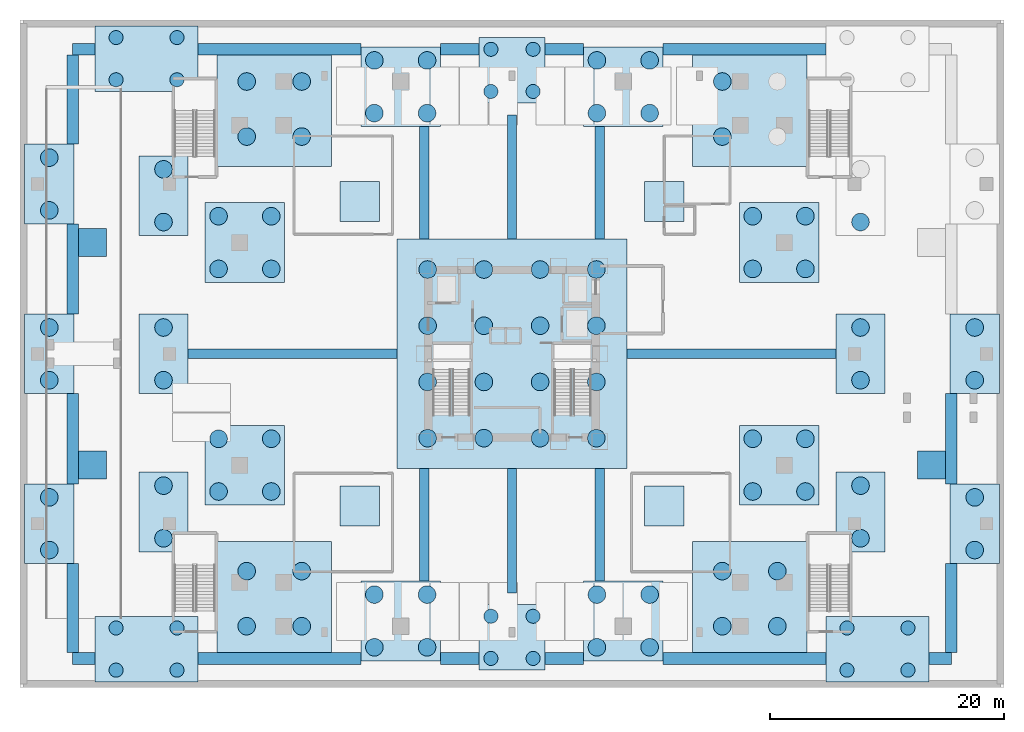
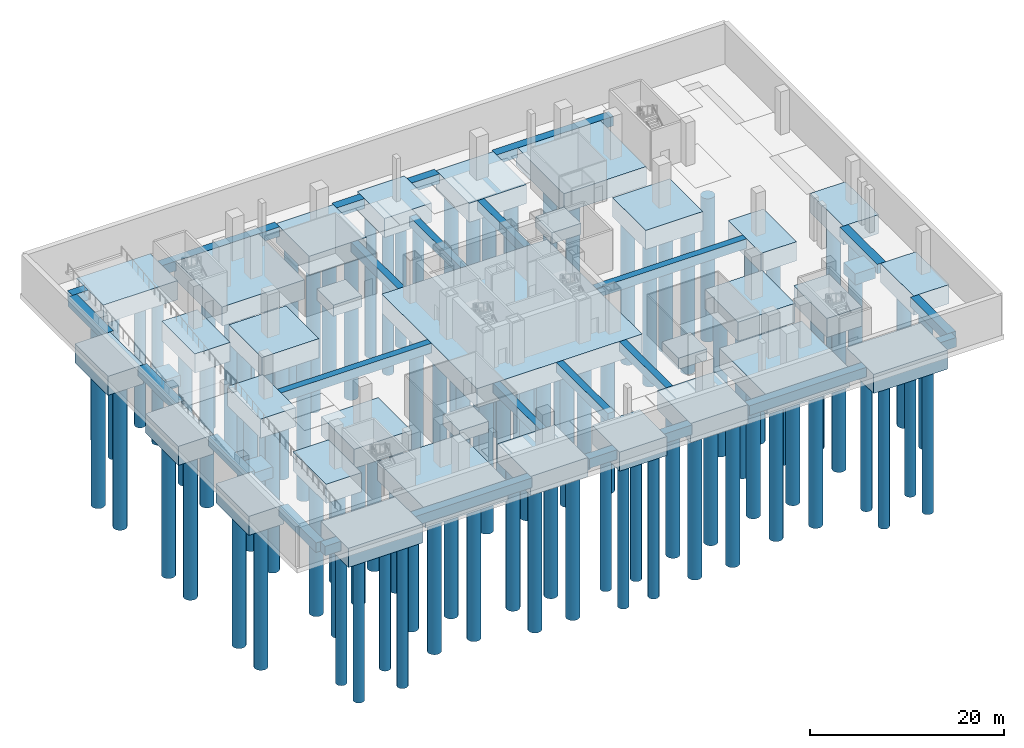
# One storey, part 1 of 16: 103 piles, 60 footings.
"""IFC4 building model written with IfcOpenShell, lengths in metres."""

from ifc_helpers import new_model, si_unit, direction, frame, origin, origin_2d, place, context, subcontext, project, spatial, rectangle, circle, extrude, material, material_profile, profile_set, type_object, element, save


model = new_model("IFC4")

# Units and contexts
model_context = context("Model", 3, precision=1e-05, world=origin(), true_north=direction((0.0, 1.0)))
body_context = subcontext(model_context, "Body", "Model", "MODEL_VIEW")
ifc_project = project(units=[si_unit("LENGTHUNIT", "METRE"), si_unit("AREAUNIT", "SQUARE_METRE"), si_unit("VOLUMEUNIT", "CUBIC_METRE"), si_unit("PLANEANGLEUNIT", "RADIAN"), si_unit("MASSUNIT", "GRAM", prefix="KILO")], contexts=[model_context])

# Site, building, storey
site_placement = place(None, origin())
site = spatial("IfcSite", under=ifc_project, at=site_placement, CompositionType="ELEMENT")
building_placement = place(site_placement, origin())
building = spatial("IfcBuilding", under=site, at=building_placement, Name="Trevonay Congress Spire", CompositionType="ELEMENT")
storey_placement = place(building_placement, frame((0.0, 0.0, -10.800048828125)))
storey = spatial("IfcBuildingStorey", under=building, at=storey_placement, Name="B2", CompositionType="ELEMENT", Elevation=-10.800048828125)

# Footings
ifc_material = material(Name="Concrete C50/60", Category="concrete")
footing_type_1 = type_object("IfcFootingType", Name="FTG-CORE-CAP", PredefinedType="PILE_CAP", material=ifc_material)
footing_1_placement = place(storey_placement, frame((0.0, 0.0, -2.39990234375), z_axis=(0.0, 0.0, 1.0), x_axis=(1.0, 0.0, 0.0)))
element("IfcFooting", 1, at=footing_1_placement, inside=storey, type_object=footing_type_1, Name="Reinforced concrete pile cap FC01 (FTG-B2-CORE)", PredefinedType="PILE_CAP", context=body_context, shape_type="SweptSolid", body=[
    extrude(rectangle(XDim=19.60009765625, YDim=19.60009765625, at=origin_2d()), origin(), (0.0, 0.0, 1.0), 2.39990234375),
])
footing_type_2 = type_object("IfcFootingType", Name="FTG-CORNER-CAP", PredefinedType="PILE_CAP", material=ifc_material)
for number, where, z_axis, x_axis, name in (
    (2, (-20.300048828125, -20.89990234375, -2.39990234375), (0.0, 0.0, 1.0), (1.0, 0.0, 0.0), "Reinforced concrete pile cap FC03 (FTG-B2-CRN-SW)"),
    (3, (20.300048828125, -20.89990234375, -2.39990234375), (0.0, 0.0, 1.0), (1.0, 0.0, 0.0), "Reinforced concrete pile cap FC03 (FTG-B2-CRN-SE)"),
    (4, (20.300048828125, 20.89990234375, -2.39990234375), (0.0, 0.0, 1.0), (1.0, 0.0, 0.0), "Reinforced concrete pile cap FC03 (FTG-B2-CRN-NE)"),
    (5, (-20.300048828125, 20.89990234375, -2.39990234375), (0.0, 0.0, 1.0), (1.0, 0.0, 0.0), "Reinforced concrete pile cap FC03 (FTG-B2-CRN-NW)"),
):
    element("IfcFooting", number, at=place(storey_placement, frame(where, z_axis=z_axis, x_axis=x_axis)), inside=storey, type_object=footing_type_2, Name=name, PredefinedType="PILE_CAP", context=body_context, shape_type="SweptSolid", body=[
        extrude(rectangle(XDim=9.800048828125, YDim=9.800048828125, at=origin_2d()), origin(), (0.0, 0.0, 1.0), 2.39990234375),
    ])
footing_type_3 = type_object("IfcFootingType", Name="FTG-EQUIP-PAD", PredefinedType="PAD_FOOTING", material=ifc_material)
for number, where, z_axis, x_axis, name in (
    (6, (-13.0, -13.0, -2.0), (0.0, 0.0, 1.0), (1.0, 0.0, 0.0), "Equipment and ramp foundation pad PF-01"),
    (7, (13.0, -13.0, -2.0), (0.0, 0.0, 1.0), (1.0, 0.0, 0.0), "Equipment and ramp foundation pad PF-02"),
    (8, (-13.0, 13.0, -2.0), (0.0, 0.0, 1.0), (1.0, 0.0, 0.0), "Equipment and ramp foundation pad PF-03"),
    (9, (13.0, 13.0, -2.0), (0.0, 0.0, 1.0), (1.0, 0.0, 0.0), "Equipment and ramp foundation pad PF-04"),
):
    element("IfcFooting", number, at=place(storey_placement, frame(where, z_axis=z_axis, x_axis=x_axis)), inside=storey, type_object=footing_type_3, Name=name, PredefinedType="PAD_FOOTING", context=body_context, shape_type="SweptSolid", body=[
        extrude(rectangle(XDim=3.39990234375, YDim=3.39990234375, at=origin_2d()), origin(), (0.0, 0.0, 1.0), 1.39990234375),
    ])
footing_type_4 = type_object("IfcFootingType", Name="FTG-GRADE-STRIP", PredefinedType="STRIP_FOOTING", material=ifc_material)
footing_2_placement = place(storey_placement, frame((-36.550048828125, -26.0, -1.19970703125), z_axis=(0.0, 0.0, 1.0), x_axis=(1.0, 0.0, 0.0)))
element("IfcFooting", 10, at=footing_2_placement, inside=storey, type_object=footing_type_4, Name="Reinforced concrete grade tie strip footing GB01 (GB-PERIM-S-1)", PredefinedType="STRIP_FOOTING", context=body_context, shape_type="SweptSolid", body=[
    extrude(rectangle(XDim=1.89990234375, YDim=1.0, at=origin_2d()), origin(), (0.0, 0.0, 1.0), 1.199951171875),
])
footing_3_placement = place(storey_placement, frame((-19.85009765625, -26.0, -1.19970703125), z_axis=(0.0, 0.0, 1.0), x_axis=(1.0, 0.0, 0.0)))
element("IfcFooting", 11, at=footing_3_placement, inside=storey, type_object=footing_type_4, Name="Reinforced concrete grade tie strip footing GB01 (GB-PERIM-S-2)", PredefinedType="STRIP_FOOTING", context=body_context, shape_type="SweptSolid", body=[
    extrude(rectangle(XDim=13.89990234375, YDim=1.0, at=origin_2d()), origin(), (0.0, 0.0, 1.0), 1.199951171875),
])
for number, where, z_axis, x_axis, name in (
    (12, (-4.449951171875, -26.0, -1.19970703125), (0.0, 0.0, 1.0), (1.0, 0.0, 0.0), "Reinforced concrete grade tie strip footing GB01 (GB-PERIM-S-3)"),
    (13, (4.449951171875, -26.0, -1.19970703125), (0.0, 0.0, 1.0), (1.0, 0.0, 0.0), "Reinforced concrete grade tie strip footing GB01 (GB-PERIM-S-4)"),
):
    element("IfcFooting", number, at=place(storey_placement, frame(where, z_axis=z_axis, x_axis=x_axis)), inside=storey, type_object=footing_type_4, Name=name, PredefinedType="STRIP_FOOTING", context=body_context, shape_type="SweptSolid", body=[
        extrude(rectangle(XDim=3.300048828125, YDim=1.0, at=origin_2d()), origin(), (0.0, 0.0, 1.0), 1.199951171875),
    ])
footing_4_placement = place(storey_placement, frame((19.85009765625, -26.0, -1.19970703125), z_axis=(0.0, 0.0, 1.0), x_axis=(1.0, 0.0, 0.0)))
element("IfcFooting", 14, at=footing_4_placement, inside=storey, type_object=footing_type_4, Name="Reinforced concrete grade tie strip footing GB01 (GB-PERIM-S-5)", PredefinedType="STRIP_FOOTING", context=body_context, shape_type="SweptSolid", body=[
    extrude(rectangle(XDim=13.89990234375, YDim=1.0, at=origin_2d()), origin(), (0.0, 0.0, 1.0), 1.199951171875),
])
for number, where, z_axis, x_axis, name in (
    (15, (36.550048828125, -26.0, -1.19970703125), (0.0, 0.0, 1.0), (1.0, 0.0, 0.0), "Reinforced concrete grade tie strip footing GB01 (GB-PERIM-S-6)"),
    (16, (-36.550048828125, 26.0, -1.19970703125), (0.0, 0.0, 1.0), (1.0, 0.0, 0.0), "Reinforced concrete grade tie strip footing GB01 (GB-PERIM-N-1)"),
):
    element("IfcFooting", number, at=place(storey_placement, frame(where, z_axis=z_axis, x_axis=x_axis)), inside=storey, type_object=footing_type_4, Name=name, PredefinedType="STRIP_FOOTING", context=body_context, shape_type="SweptSolid", body=[
        extrude(rectangle(XDim=1.89990234375, YDim=1.0, at=origin_2d()), origin(), (0.0, 0.0, 1.0), 1.199951171875),
    ])
footing_5_placement = place(storey_placement, frame((-19.85009765625, 26.0, -1.19970703125), z_axis=(0.0, 0.0, 1.0), x_axis=(1.0, 0.0, 0.0)))
element("IfcFooting", 17, at=footing_5_placement, inside=storey, type_object=footing_type_4, Name="Reinforced concrete grade tie strip footing GB01 (GB-PERIM-N-2)", PredefinedType="STRIP_FOOTING", context=body_context, shape_type="SweptSolid", body=[
    extrude(rectangle(XDim=13.89990234375, YDim=1.0, at=origin_2d()), origin(), (0.0, 0.0, 1.0), 1.199951171875),
])
for number, where, z_axis, x_axis, name in (
    (18, (-4.449951171875, 26.0, -1.19970703125), (0.0, 0.0, 1.0), (1.0, 0.0, 0.0), "Reinforced concrete grade tie strip footing GB01 (GB-PERIM-N-3)"),
    (19, (4.449951171875, 26.0, -1.19970703125), (0.0, 0.0, 1.0), (1.0, 0.0, 0.0), "Reinforced concrete grade tie strip footing GB01 (GB-PERIM-N-4)"),
):
    element("IfcFooting", number, at=place(storey_placement, frame(where, z_axis=z_axis, x_axis=x_axis)), inside=storey, type_object=footing_type_4, Name=name, PredefinedType="STRIP_FOOTING", context=body_context, shape_type="SweptSolid", body=[
        extrude(rectangle(XDim=3.300048828125, YDim=1.0, at=origin_2d()), origin(), (0.0, 0.0, 1.0), 1.199951171875),
    ])
footing_6_placement = place(storey_placement, frame((19.85009765625, 26.0, -1.19970703125), z_axis=(0.0, 0.0, 1.0), x_axis=(1.0, 0.0, 0.0)))
element("IfcFooting", 20, at=footing_6_placement, inside=storey, type_object=footing_type_4, Name="Reinforced concrete grade tie strip footing GB01 (GB-PERIM-N-5)", PredefinedType="STRIP_FOOTING", context=body_context, shape_type="SweptSolid", body=[
    extrude(rectangle(XDim=13.89990234375, YDim=1.0, at=origin_2d()), origin(), (0.0, 0.0, 1.0), 1.199951171875),
])
footing_7_placement = place(storey_placement, frame((-37.5, -21.699951171875, -1.19970703125), z_axis=(0.0, 0.0, 1.0), x_axis=(0.0, 1.0, 0.0)))
element("IfcFooting", 21, at=footing_7_placement, inside=storey, type_object=footing_type_4, Name="Reinforced concrete grade tie strip footing GB01 (GB-PERIM-W-1)", PredefinedType="STRIP_FOOTING", context=body_context, shape_type="SweptSolid", body=[
    extrude(rectangle(XDim=7.60009765625, YDim=1.0, at=origin_2d()), origin(), (0.0, 0.0, 1.0), 1.199951171875),
])
for number, where, z_axis, x_axis, name in (
    (22, (-37.5, -7.25, -1.19970703125), (0.0, 0.0, 1.0), (0.0, 1.0, 0.0), "Reinforced concrete grade tie strip footing GB01 (GB-PERIM-W-2)"),
    (23, (-37.5, 7.25, -1.19970703125), (0.0, 0.0, 1.0), (0.0, 1.0, 0.0), "Reinforced concrete grade tie strip footing GB01 (GB-PERIM-W-3)"),
):
    element("IfcFooting", number, at=place(storey_placement, frame(where, z_axis=z_axis, x_axis=x_axis)), inside=storey, type_object=footing_type_4, Name=name, PredefinedType="STRIP_FOOTING", context=body_context, shape_type="SweptSolid", body=[
        extrude(rectangle(XDim=7.699951171875, YDim=1.0, at=origin_2d()), origin(), (0.0, 0.0, 1.0), 1.199951171875),
    ])
for number, where, z_axis, x_axis, name in (
    (24, (-37.5, 21.699951171875, -1.19970703125), (0.0, 0.0, 1.0), (0.0, 1.0, 0.0), "Reinforced concrete grade tie strip footing GB01 (GB-PERIM-W-4)"),
    (25, (37.5, -21.699951171875, -1.19970703125), (0.0, 0.0, 1.0), (0.0, 1.0, 0.0), "Reinforced concrete grade tie strip footing GB01 (GB-PERIM-E-1)"),
):
    element("IfcFooting", number, at=place(storey_placement, frame(where, z_axis=z_axis, x_axis=x_axis)), inside=storey, type_object=footing_type_4, Name=name, PredefinedType="STRIP_FOOTING", context=body_context, shape_type="SweptSolid", body=[
        extrude(rectangle(XDim=7.60009765625, YDim=1.0, at=origin_2d()), origin(), (0.0, 0.0, 1.0), 1.199951171875),
    ])
footing_8_placement = place(storey_placement, frame((37.5, -7.25, -1.19970703125), z_axis=(0.0, 0.0, 1.0), x_axis=(0.0, 1.0, 0.0)))
element("IfcFooting", 26, at=footing_8_placement, inside=storey, type_object=footing_type_4, Name="Reinforced concrete grade tie strip footing GB01 (GB-PERIM-E-2)", PredefinedType="STRIP_FOOTING", context=body_context, shape_type="SweptSolid", body=[
    extrude(rectangle(XDim=7.699951171875, YDim=1.0, at=origin_2d()), origin(), (0.0, 0.0, 1.0), 1.199951171875),
])
footing_type_5 = type_object("IfcFootingType", Name="FTG-MEGA-CAP", PredefinedType="PILE_CAP", material=ifc_material)
for number, where, z_axis, x_axis, name in (
    (27, (-9.5, -22.800048828125, -2.39990234375), (0.0, 0.0, 1.0), (1.0, 0.0, 0.0), "Reinforced concrete pile cap FC02 (FTG-B2-MC-S2)"),
    (28, (9.5, -22.800048828125, -2.39990234375), (0.0, 0.0, 1.0), (1.0, 0.0, 0.0), "Reinforced concrete pile cap FC02 (FTG-B2-MC-S5)"),
    (29, (-9.5, 22.800048828125, -2.39990234375), (0.0, 0.0, 1.0), (1.0, 0.0, 0.0), "Reinforced concrete pile cap FC02 (FTG-B2-MC-N2)"),
    (30, (9.5, 22.800048828125, -2.39990234375), (0.0, 0.0, 1.0), (1.0, 0.0, 0.0), "Reinforced concrete pile cap FC02 (FTG-B2-MC-N5)"),
    (31, (-22.800048828125, -9.5, -2.39990234375), (0.0, 0.0, 1.0), (1.0, 0.0, 0.0), "Reinforced concrete pile cap FC02 (FTG-B2-MC-W2)"),
    (32, (-22.800048828125, 9.5, -2.39990234375), (0.0, 0.0, 1.0), (1.0, 0.0, 0.0), "Reinforced concrete pile cap FC02 (FTG-B2-MC-W5)"),
    (33, (22.800048828125, -9.5, -2.39990234375), (0.0, 0.0, 1.0), (1.0, 0.0, 0.0), "Reinforced concrete pile cap FC02 (FTG-B2-MC-E2)"),
    (34, (22.800048828125, 9.5, -2.39990234375), (0.0, 0.0, 1.0), (1.0, 0.0, 0.0), "Reinforced concrete pile cap FC02 (FTG-B2-MC-E5)"),
):
    element("IfcFooting", number, at=place(storey_placement, frame(where, z_axis=z_axis, x_axis=x_axis)), inside=storey, type_object=footing_type_5, Name=name, PredefinedType="PILE_CAP", context=body_context, shape_type="SweptSolid", body=[
        extrude(rectangle(XDim=6.800048828125, YDim=6.800048828125, at=origin_2d()), origin(), (0.0, 0.0, 1.0), 2.39990234375),
    ])
footing_type_6 = type_object("IfcFootingType", Name="FTG-POD-NSCAP", PredefinedType="PILE_CAP", material=ifc_material)
for number, where, z_axis, x_axis, name in (
    (35, (-39.5, -14.5, -2.39990234375), (0.0, 0.0, 1.0), (1.0, 0.0, 0.0), "Reinforced concrete pile cap FC06 (FTG-B2-EXW-1)"),
    (36, (39.5, -14.5, -2.39990234375), (0.0, 0.0, 1.0), (1.0, 0.0, 0.0), "Reinforced concrete pile cap FC06 (FTG-B2-EXE-1)"),
    (37, (-39.5, 0.0, -2.39990234375), (0.0, 0.0, 1.0), (1.0, 0.0, 0.0), "Reinforced concrete pile cap FC06 (FTG-B2-EXW-2)"),
    (38, (39.5, 0.0, -2.39990234375), (0.0, 0.0, 1.0), (1.0, 0.0, 0.0), "Reinforced concrete pile cap FC06 (FTG-B2-EXE-2)"),
    (39, (-39.5, 14.5, -2.39990234375), (0.0, 0.0, 1.0), (1.0, 0.0, 0.0), "Reinforced concrete pile cap FC06 (FTG-B2-EXW-3)"),
    (40, (-29.75, -13.5, -2.39990234375), (0.0, 0.0, 1.0), (1.0, 0.0, 0.0), "Reinforced concrete pile cap FC06 (FTG-B2-PW-1)"),
    (41, (-29.75, 0.0, -2.39990234375), (0.0, 0.0, 1.0), (1.0, 0.0, 0.0), "Reinforced concrete pile cap FC06 (FTG-B2-PW-2)"),
    (42, (-29.75, 13.5, -2.39990234375), (0.0, 0.0, 1.0), (1.0, 0.0, 0.0), "Reinforced concrete pile cap FC06 (FTG-B2-PW-3)"),
    (43, (29.75, -13.5, -2.39990234375), (0.0, 0.0, 1.0), (1.0, 0.0, 0.0), "Reinforced concrete pile cap FC06 (FTG-B2-PE-1)"),
    (44, (29.75, 0.0, -2.39990234375), (0.0, 0.0, 1.0), (1.0, 0.0, 0.0), "Reinforced concrete pile cap FC06 (FTG-B2-PE-2)"),
):
    element("IfcFooting", number, at=place(storey_placement, frame(where, z_axis=z_axis, x_axis=x_axis)), inside=storey, type_object=footing_type_6, Name=name, PredefinedType="PILE_CAP", context=body_context, shape_type="SweptSolid", body=[
        extrude(rectangle(XDim=4.199951171875, YDim=6.800048828125, at=origin_2d()), origin(), (0.0, 0.0, 1.0), 2.39990234375),
    ])
footing_type_7 = type_object("IfcFootingType", Name="FTG-POD-RECTCAP", PredefinedType="PILE_CAP", material=ifc_material)
for number, where, z_axis, x_axis, name in (
    (45, (-31.199951171875, -25.199951171875, -2.39990234375), (0.0, 0.0, 1.0), (1.0, 0.0, 0.0), "Reinforced concrete pile cap FC04 (FTG-B2-OUT-WSW)"),
    (46, (-31.199951171875, 25.199951171875, -2.39990234375), (0.0, 0.0, 1.0), (1.0, 0.0, 0.0), "Reinforced concrete pile cap FC04 (FTG-B2-OUT-WNW)"),
    (47, (31.199951171875, -25.199951171875, -2.39990234375), (0.0, 0.0, 1.0), (1.0, 0.0, 0.0), "Reinforced concrete pile cap FC04 (FTG-B2-OUT-ESE)"),
):
    element("IfcFooting", number, at=place(storey_placement, frame(where, z_axis=z_axis, x_axis=x_axis)), inside=storey, type_object=footing_type_7, Name=name, PredefinedType="PILE_CAP", context=body_context, shape_type="SweptSolid", body=[
        extrude(rectangle(XDim=8.800048828125, YDim=5.60009765625, at=origin_2d()), origin(), (0.0, 0.0, 1.0), 2.39990234375),
    ])
footing_type_8 = type_object("IfcFootingType", Name="FTG-POD-SQCAP", PredefinedType="PILE_CAP", material=ifc_material)
for number, where, z_axis, x_axis, name in (
    (48, (0.0, -24.199951171875, -2.39990234375), (0.0, 0.0, 1.0), (1.0, 0.0, 0.0), "Reinforced concrete pile cap FC05 (FTG-B2-PIL-SC)"),
    (49, (0.0, 24.199951171875, -2.39990234375), (0.0, 0.0, 1.0), (1.0, 0.0, 0.0), "Reinforced concrete pile cap FC05 (FTG-B2-PIL-NC)"),
):
    element("IfcFooting", number, at=place(storey_placement, frame(where, z_axis=z_axis, x_axis=x_axis)), inside=storey, type_object=footing_type_8, Name=name, PredefinedType="PILE_CAP", context=body_context, shape_type="SweptSolid", body=[
        extrude(rectangle(XDim=5.60009765625, YDim=5.60009765625, at=origin_2d()), origin(), (0.0, 0.0, 1.0), 2.39990234375),
    ])
footing_type_9 = type_object("IfcFootingType", Name="FTG-RAMP-PAD", PredefinedType="PAD_FOOTING", material=ifc_material)
for number, where, z_axis, x_axis, name in (
    (50, (-35.800048828125, -9.5, -2.0), (0.0, 0.0, 1.0), (1.0, 0.0, 0.0), "Equipment and ramp foundation pad PF-05"),
    (51, (-35.800048828125, 9.5, -2.0), (0.0, 0.0, 1.0), (1.0, 0.0, 0.0), "Equipment and ramp foundation pad PF-06"),
    (52, (35.800048828125, -9.5, -2.0), (0.0, 0.0, 1.0), (1.0, 0.0, 0.0), "Equipment and ramp foundation pad PF-07"),
):
    element("IfcFooting", number, at=place(storey_placement, frame(where, z_axis=z_axis, x_axis=x_axis)), inside=storey, type_object=footing_type_9, Name=name, PredefinedType="PAD_FOOTING", context=body_context, shape_type="SweptSolid", body=[
        extrude(rectangle(XDim=2.39990234375, YDim=2.39990234375, at=origin_2d()), origin(), (0.0, 0.0, 1.0), 1.39990234375),
    ])
footing_type_10 = type_object("IfcFootingType", Name="FTG-TIE-STRIP", PredefinedType="STRIP_FOOTING", material=ifc_material)
for number, where, z_axis, x_axis, name in (
    (53, (-7.5, -14.60009765625, -1.19970703125), (0.0, 0.0, 1.0), (0.0, 1.0, 0.0), "Reinforced concrete grade tie strip footing GB02 (GB-TIE-S2-1)"),
    (54, (7.5, -14.60009765625, -1.19970703125), (0.0, 0.0, 1.0), (0.0, 1.0, 0.0), "Reinforced concrete grade tie strip footing GB02 (GB-TIE-S5-1)"),
    (55, (-7.5, 14.60009765625, -1.19970703125), (0.0, 0.0, 1.0), (0.0, 1.0, 0.0), "Reinforced concrete grade tie strip footing GB02 (GB-TIE-N2-1)"),
    (56, (7.5, 14.60009765625, -1.19970703125), (0.0, 0.0, 1.0), (0.0, 1.0, 0.0), "Reinforced concrete grade tie strip footing GB02 (GB-TIE-N5-1)"),
):
    element("IfcFooting", number, at=place(storey_placement, frame(where, z_axis=z_axis, x_axis=x_axis)), inside=storey, type_object=footing_type_10, Name=name, PredefinedType="STRIP_FOOTING", context=body_context, shape_type="SweptSolid", body=[
        extrude(rectangle(XDim=9.60009765625, YDim=0.800048828125, at=origin_2d()), origin(), (0.0, 0.0, 1.0), 1.199951171875),
    ])
for number, where, z_axis, x_axis, name in (
    (57, (0.0, -15.10009765625, -1.19970703125), (0.0, 0.0, 1.0), (0.0, 1.0, 0.0), "Reinforced concrete grade tie strip footing GB02 (GB-TIE-SC-1)"),
    (58, (0.0, 15.10009765625, -1.19970703125), (0.0, 0.0, 1.0), (0.0, 1.0, 0.0), "Reinforced concrete grade tie strip footing GB02 (GB-TIE-NC-1)"),
):
    element("IfcFooting", number, at=place(storey_placement, frame(where, z_axis=z_axis, x_axis=x_axis)), inside=storey, type_object=footing_type_10, Name=name, PredefinedType="STRIP_FOOTING", context=body_context, shape_type="SweptSolid", body=[
        extrude(rectangle(XDim=10.60009765625, YDim=0.800048828125, at=origin_2d()), origin(), (0.0, 0.0, 1.0), 1.199951171875),
    ])
for number, where, z_axis, x_axis, name in (
    (59, (-18.72509765625, 0.0, -1.19970703125), (0.0, 0.0, 1.0), (1.0, 0.0, 0.0), "Reinforced concrete grade tie strip footing GB02 (GB-TIE-WC-1)"),
    (60, (18.72509765625, 0.0, -1.19970703125), (0.0, 0.0, 1.0), (1.0, 0.0, 0.0), "Reinforced concrete grade tie strip footing GB02 (GB-TIE-EC-1)"),
):
    element("IfcFooting", number, at=place(storey_placement, frame(where, z_axis=z_axis, x_axis=x_axis)), inside=storey, type_object=footing_type_10, Name=name, PredefinedType="STRIP_FOOTING", context=body_context, shape_type="SweptSolid", body=[
        extrude(rectangle(XDim=17.85009765625, YDim=0.800048828125, at=origin_2d()), origin(), (0.0, 0.0, 1.0), 1.199951171875),
    ])

# Piles
ifc_material_profile_1 = material_profile(ifc_material, circle(Radius=0.60009765625, at=origin_2d()), Name="PILE D1200")
ifc_profile_set_1 = profile_set([ifc_material_profile_1], Name="Concrete C50/60")
pile_type_1 = type_object("IfcPileType", Name="PILE-BORED-D1200", PredefinedType="BORED", material=ifc_profile_set_1)
for number, where, z_axis, x_axis, name in (
    (61, (-1.800048828125, -26.0, -2.25), (0.0, 0.0, -1.0), (1.0, 0.0, 0.0), "Rock-socketed bored pile 1 under FTG-B2-PIL-SC"),
    (62, (1.800048828125, -26.0, -2.25), (0.0, 0.0, -1.0), (1.0, 0.0, 0.0), "Rock-socketed bored pile 2 under FTG-B2-PIL-SC"),
    (63, (1.800048828125, -22.39990234375, -2.25), (0.0, 0.0, -1.0), (1.0, 0.0, 0.0), "Rock-socketed bored pile 3 under FTG-B2-PIL-SC"),
    (64, (-1.800048828125, -22.39990234375, -2.25), (0.0, 0.0, -1.0), (1.0, 0.0, 0.0), "Rock-socketed bored pile 4 under FTG-B2-PIL-SC"),
    (65, (-1.800048828125, 22.39990234375, -2.25), (0.0, 0.0, -1.0), (1.0, 0.0, 0.0), "Rock-socketed bored pile 1 under FTG-B2-PIL-NC"),
    (66, (1.800048828125, 22.39990234375, -2.25), (0.0, 0.0, -1.0), (1.0, 0.0, 0.0), "Rock-socketed bored pile 2 under FTG-B2-PIL-NC"),
    (67, (1.800048828125, 26.0, -2.25), (0.0, 0.0, -1.0), (1.0, 0.0, 0.0), "Rock-socketed bored pile 3 under FTG-B2-PIL-NC"),
    (68, (-1.800048828125, 26.0, -2.25), (0.0, 0.0, -1.0), (1.0, 0.0, 0.0), "Rock-socketed bored pile 4 under FTG-B2-PIL-NC"),
    (69, (-33.800048828125, -27.0, -2.25), (0.0, 0.0, -1.0), (1.0, 0.0, 0.0), "Rock-socketed bored pile 1 under FTG-B2-OUT-WSW"),
    (70, (-28.60009765625, -27.0, -2.25), (0.0, 0.0, -1.0), (1.0, 0.0, 0.0), "Rock-socketed bored pile 2 under FTG-B2-OUT-WSW"),
    (71, (-33.800048828125, -23.39990234375, -2.25), (0.0, 0.0, -1.0), (1.0, 0.0, 0.0), "Rock-socketed bored pile 3 under FTG-B2-OUT-WSW"),
    (72, (-28.60009765625, -23.39990234375, -2.25), (0.0, 0.0, -1.0), (1.0, 0.0, 0.0), "Rock-socketed bored pile 4 under FTG-B2-OUT-WSW"),
    (73, (-33.800048828125, 23.39990234375, -2.25), (0.0, 0.0, -1.0), (1.0, 0.0, 0.0), "Rock-socketed bored pile 1 under FTG-B2-OUT-WNW"),
    (74, (-28.60009765625, 23.39990234375, -2.25), (0.0, 0.0, -1.0), (1.0, 0.0, 0.0), "Rock-socketed bored pile 2 under FTG-B2-OUT-WNW"),
    (75, (-33.800048828125, 27.0, -2.25), (0.0, 0.0, -1.0), (1.0, 0.0, 0.0), "Rock-socketed bored pile 3 under FTG-B2-OUT-WNW"),
    (76, (-28.60009765625, 27.0, -2.25), (0.0, 0.0, -1.0), (1.0, 0.0, 0.0), "Rock-socketed bored pile 4 under FTG-B2-OUT-WNW"),
    (77, (28.60009765625, -27.0, -2.25), (0.0, 0.0, -1.0), (1.0, 0.0, 0.0), "Rock-socketed bored pile 1 under FTG-B2-OUT-ESE"),
    (78, (33.800048828125, -27.0, -2.25), (0.0, 0.0, -1.0), (1.0, 0.0, 0.0), "Rock-socketed bored pile 2 under FTG-B2-OUT-ESE"),
    (79, (28.60009765625, -23.39990234375, -2.25), (0.0, 0.0, -1.0), (1.0, 0.0, 0.0), "Rock-socketed bored pile 3 under FTG-B2-OUT-ESE"),
    (80, (33.800048828125, -23.39990234375, -2.25), (0.0, 0.0, -1.0), (1.0, 0.0, 0.0), "Rock-socketed bored pile 4 under FTG-B2-OUT-ESE"),
):
    element("IfcPile", number, at=place(storey_placement, frame(where, z_axis=z_axis, x_axis=x_axis)), inside=storey, type_object=pile_type_1, Name=name, PredefinedType="BORED", context=body_context, shape_type="SweptSolid", body=[
        extrude(circle(Radius=0.60009765625, at=origin_2d()), origin(), (0.0, 0.0, 1.0), 18.0),
    ])
ifc_material_profile_2 = material_profile(ifc_material, circle(Radius=0.75, at=origin_2d()), Name="PILE D1500")
ifc_profile_set_2 = profile_set([ifc_material_profile_2], Name="Concrete C50/60")
pile_type_2 = type_object("IfcPileType", Name="PILE-BORED-D1500", PredefinedType="BORED", material=ifc_profile_set_2)
for number, where, z_axis, x_axis, name in (
    (81, (-7.199951171875, -7.199951171875, -2.25), (0.0, 0.0, -1.0), (1.0, 0.0, 0.0), "Rock-socketed bored pile 1 under FTG-B2-CORE"),
    (82, (-7.199951171875, -2.39990234375, -2.25), (0.0, 0.0, -1.0), (1.0, 0.0, 0.0), "Rock-socketed bored pile 2 under FTG-B2-CORE"),
    (83, (-7.199951171875, 2.39990234375, -2.25), (0.0, 0.0, -1.0), (1.0, 0.0, 0.0), "Rock-socketed bored pile 3 under FTG-B2-CORE"),
    (84, (-7.199951171875, 7.199951171875, -2.25), (0.0, 0.0, -1.0), (1.0, 0.0, 0.0), "Rock-socketed bored pile 4 under FTG-B2-CORE"),
    (85, (-2.39990234375, -7.199951171875, -2.25), (0.0, 0.0, -1.0), (1.0, 0.0, 0.0), "Rock-socketed bored pile 5 under FTG-B2-CORE"),
    (86, (-2.39990234375, -2.39990234375, -2.25), (0.0, 0.0, -1.0), (1.0, 0.0, 0.0), "Rock-socketed bored pile 6 under FTG-B2-CORE"),
    (87, (-2.39990234375, 2.39990234375, -2.25), (0.0, 0.0, -1.0), (1.0, 0.0, 0.0), "Rock-socketed bored pile 7 under FTG-B2-CORE"),
    (88, (-2.39990234375, 7.199951171875, -2.25), (0.0, 0.0, -1.0), (1.0, 0.0, 0.0), "Rock-socketed bored pile 8 under FTG-B2-CORE"),
    (89, (2.39990234375, -7.199951171875, -2.25), (0.0, 0.0, -1.0), (1.0, 0.0, 0.0), "Rock-socketed bored pile 9 under FTG-B2-CORE"),
    (90, (2.39990234375, -2.39990234375, -2.25), (0.0, 0.0, -1.0), (1.0, 0.0, 0.0), "Rock-socketed bored pile 10 under FTG-B2-CORE"),
    (91, (2.39990234375, 2.39990234375, -2.25), (0.0, 0.0, -1.0), (1.0, 0.0, 0.0), "Rock-socketed bored pile 11 under FTG-B2-CORE"),
    (92, (2.39990234375, 7.199951171875, -2.25), (0.0, 0.0, -1.0), (1.0, 0.0, 0.0), "Rock-socketed bored pile 12 under FTG-B2-CORE"),
    (93, (7.199951171875, -7.199951171875, -2.25), (0.0, 0.0, -1.0), (1.0, 0.0, 0.0), "Rock-socketed bored pile 13 under FTG-B2-CORE"),
    (94, (7.199951171875, -2.39990234375, -2.25), (0.0, 0.0, -1.0), (1.0, 0.0, 0.0), "Rock-socketed bored pile 14 under FTG-B2-CORE"),
    (95, (7.199951171875, 2.39990234375, -2.25), (0.0, 0.0, -1.0), (1.0, 0.0, 0.0), "Rock-socketed bored pile 15 under FTG-B2-CORE"),
    (96, (7.199951171875, 7.199951171875, -2.25), (0.0, 0.0, -1.0), (1.0, 0.0, 0.0), "Rock-socketed bored pile 16 under FTG-B2-CORE"),
    (97, (-11.75, -25.050048828125, -2.25), (0.0, 0.0, -1.0), (1.0, 0.0, 0.0), "Rock-socketed bored pile 1 under FTG-B2-MC-S2"),
    (98, (-7.25, -25.050048828125, -2.25), (0.0, 0.0, -1.0), (1.0, 0.0, 0.0), "Rock-socketed bored pile 2 under FTG-B2-MC-S2"),
    (99, (-7.25, -20.550048828125, -2.25), (0.0, 0.0, -1.0), (1.0, 0.0, 0.0), "Rock-socketed bored pile 3 under FTG-B2-MC-S2"),
    (100, (-11.75, -20.550048828125, -2.25), (0.0, 0.0, -1.0), (1.0, 0.0, 0.0), "Rock-socketed bored pile 4 under FTG-B2-MC-S2"),
    (101, (7.25, -25.050048828125, -2.25), (0.0, 0.0, -1.0), (1.0, 0.0, 0.0), "Rock-socketed bored pile 1 under FTG-B2-MC-S5"),
    (102, (11.75, -25.050048828125, -2.25), (0.0, 0.0, -1.0), (1.0, 0.0, 0.0), "Rock-socketed bored pile 2 under FTG-B2-MC-S5"),
    (103, (11.75, -20.550048828125, -2.25), (0.0, 0.0, -1.0), (1.0, 0.0, 0.0), "Rock-socketed bored pile 3 under FTG-B2-MC-S5"),
    (104, (7.25, -20.550048828125, -2.25), (0.0, 0.0, -1.0), (1.0, 0.0, 0.0), "Rock-socketed bored pile 4 under FTG-B2-MC-S5"),
    (105, (-11.75, 20.550048828125, -2.25), (0.0, 0.0, -1.0), (1.0, 0.0, 0.0), "Rock-socketed bored pile 1 under FTG-B2-MC-N2"),
    (106, (-7.25, 20.550048828125, -2.25), (0.0, 0.0, -1.0), (1.0, 0.0, 0.0), "Rock-socketed bored pile 2 under FTG-B2-MC-N2"),
    (107, (-7.25, 25.050048828125, -2.25), (0.0, 0.0, -1.0), (1.0, 0.0, 0.0), "Rock-socketed bored pile 3 under FTG-B2-MC-N2"),
    (108, (-11.75, 25.050048828125, -2.25), (0.0, 0.0, -1.0), (1.0, 0.0, 0.0), "Rock-socketed bored pile 4 under FTG-B2-MC-N2"),
    (109, (7.25, 20.550048828125, -2.25), (0.0, 0.0, -1.0), (1.0, 0.0, 0.0), "Rock-socketed bored pile 1 under FTG-B2-MC-N5"),
    (110, (11.75, 20.550048828125, -2.25), (0.0, 0.0, -1.0), (1.0, 0.0, 0.0), "Rock-socketed bored pile 2 under FTG-B2-MC-N5"),
    (111, (11.75, 25.050048828125, -2.25), (0.0, 0.0, -1.0), (1.0, 0.0, 0.0), "Rock-socketed bored pile 3 under FTG-B2-MC-N5"),
    (112, (7.25, 25.050048828125, -2.25), (0.0, 0.0, -1.0), (1.0, 0.0, 0.0), "Rock-socketed bored pile 4 under FTG-B2-MC-N5"),
    (113, (-25.050048828125, -11.75, -2.25), (0.0, 0.0, -1.0), (1.0, 0.0, 0.0), "Rock-socketed bored pile 1 under FTG-B2-MC-W2"),
    (114, (-20.550048828125, -11.75, -2.25), (0.0, 0.0, -1.0), (1.0, 0.0, 0.0), "Rock-socketed bored pile 2 under FTG-B2-MC-W2"),
    (115, (-20.550048828125, -7.25, -2.25), (0.0, 0.0, -1.0), (1.0, 0.0, 0.0), "Rock-socketed bored pile 3 under FTG-B2-MC-W2"),
    (116, (-25.050048828125, -7.25, -2.25), (0.0, 0.0, -1.0), (1.0, 0.0, 0.0), "Rock-socketed bored pile 4 under FTG-B2-MC-W2"),
    (117, (-25.050048828125, 7.25, -2.25), (0.0, 0.0, -1.0), (1.0, 0.0, 0.0), "Rock-socketed bored pile 1 under FTG-B2-MC-W5"),
    (118, (-20.550048828125, 7.25, -2.25), (0.0, 0.0, -1.0), (1.0, 0.0, 0.0), "Rock-socketed bored pile 2 under FTG-B2-MC-W5"),
    (119, (-20.550048828125, 11.75, -2.25), (0.0, 0.0, -1.0), (1.0, 0.0, 0.0), "Rock-socketed bored pile 3 under FTG-B2-MC-W5"),
    (120, (-25.050048828125, 11.75, -2.25), (0.0, 0.0, -1.0), (1.0, 0.0, 0.0), "Rock-socketed bored pile 4 under FTG-B2-MC-W5"),
    (121, (20.550048828125, -11.75, -2.25), (0.0, 0.0, -1.0), (1.0, 0.0, 0.0), "Rock-socketed bored pile 1 under FTG-B2-MC-E2"),
    (122, (25.050048828125, -11.75, -2.25), (0.0, 0.0, -1.0), (1.0, 0.0, 0.0), "Rock-socketed bored pile 2 under FTG-B2-MC-E2"),
    (123, (25.050048828125, -7.25, -2.25), (0.0, 0.0, -1.0), (1.0, 0.0, 0.0), "Rock-socketed bored pile 3 under FTG-B2-MC-E2"),
    (124, (20.550048828125, -7.25, -2.25), (0.0, 0.0, -1.0), (1.0, 0.0, 0.0), "Rock-socketed bored pile 4 under FTG-B2-MC-E2"),
    (125, (20.550048828125, 7.25, -2.25), (0.0, 0.0, -1.0), (1.0, 0.0, 0.0), "Rock-socketed bored pile 1 under FTG-B2-MC-E5"),
    (126, (25.050048828125, 7.25, -2.25), (0.0, 0.0, -1.0), (1.0, 0.0, 0.0), "Rock-socketed bored pile 2 under FTG-B2-MC-E5"),
    (127, (25.050048828125, 11.75, -2.25), (0.0, 0.0, -1.0), (1.0, 0.0, 0.0), "Rock-socketed bored pile 3 under FTG-B2-MC-E5"),
    (128, (20.550048828125, 11.75, -2.25), (0.0, 0.0, -1.0), (1.0, 0.0, 0.0), "Rock-socketed bored pile 4 under FTG-B2-MC-E5"),
    (129, (-22.64990234375, -23.25, -2.25), (0.0, 0.0, -1.0), (1.0, 0.0, 0.0), "Rock-socketed bored pile 1 under FTG-B2-CRN-SW"),
    (130, (-17.949951171875, -23.25, -2.25), (0.0, 0.0, -1.0), (1.0, 0.0, 0.0), "Rock-socketed bored pile 2 under FTG-B2-CRN-SW"),
    (131, (-17.949951171875, -18.550048828125, -2.25), (0.0, 0.0, -1.0), (1.0, 0.0, 0.0), "Rock-socketed bored pile 3 under FTG-B2-CRN-SW"),
    (132, (-22.64990234375, -18.550048828125, -2.25), (0.0, 0.0, -1.0), (1.0, 0.0, 0.0), "Rock-socketed bored pile 4 under FTG-B2-CRN-SW"),
    (133, (17.949951171875, -23.25, -2.25), (0.0, 0.0, -1.0), (1.0, 0.0, 0.0), "Rock-socketed bored pile 1 under FTG-B2-CRN-SE"),
    (134, (22.64990234375, -23.25, -2.25), (0.0, 0.0, -1.0), (1.0, 0.0, 0.0), "Rock-socketed bored pile 2 under FTG-B2-CRN-SE"),
    (135, (22.64990234375, -18.550048828125, -2.25), (0.0, 0.0, -1.0), (1.0, 0.0, 0.0), "Rock-socketed bored pile 3 under FTG-B2-CRN-SE"),
    (136, (17.949951171875, -18.550048828125, -2.25), (0.0, 0.0, -1.0), (1.0, 0.0, 0.0), "Rock-socketed bored pile 4 under FTG-B2-CRN-SE"),
    (137, (17.949951171875, 18.550048828125, -2.25), (0.0, 0.0, -1.0), (1.0, 0.0, 0.0), "Rock-socketed bored pile 1 under FTG-B2-CRN-NE"),
    (138, (17.949951171875, 23.25, -2.25), (0.0, 0.0, -1.0), (1.0, 0.0, 0.0), "Rock-socketed bored pile 4 under FTG-B2-CRN-NE"),
    (139, (-22.64990234375, 18.550048828125, -2.25), (0.0, 0.0, -1.0), (1.0, 0.0, 0.0), "Rock-socketed bored pile 1 under FTG-B2-CRN-NW"),
    (140, (-17.949951171875, 18.550048828125, -2.25), (0.0, 0.0, -1.0), (1.0, 0.0, 0.0), "Rock-socketed bored pile 2 under FTG-B2-CRN-NW"),
    (141, (-17.949951171875, 23.25, -2.25), (0.0, 0.0, -1.0), (1.0, 0.0, 0.0), "Rock-socketed bored pile 3 under FTG-B2-CRN-NW"),
    (142, (-22.64990234375, 23.25, -2.25), (0.0, 0.0, -1.0), (1.0, 0.0, 0.0), "Rock-socketed bored pile 4 under FTG-B2-CRN-NW"),
    (143, (-39.5, -16.75, -2.25), (0.0, 0.0, -1.0), (1.0, 0.0, 0.0), "Rock-socketed bored pile 1 under FTG-B2-EXW-1"),
    (144, (-39.5, -12.25, -2.25), (0.0, 0.0, -1.0), (1.0, 0.0, 0.0), "Rock-socketed bored pile 2 under FTG-B2-EXW-1"),
    (145, (39.5, -16.75, -2.25), (0.0, 0.0, -1.0), (1.0, 0.0, 0.0), "Rock-socketed bored pile 1 under FTG-B2-EXE-1"),
    (146, (39.5, -12.25, -2.25), (0.0, 0.0, -1.0), (1.0, 0.0, 0.0), "Rock-socketed bored pile 2 under FTG-B2-EXE-1"),
    (147, (-39.5, -2.25, -2.25), (0.0, 0.0, -1.0), (1.0, 0.0, 0.0), "Rock-socketed bored pile 1 under FTG-B2-EXW-2"),
    (148, (-39.5, 2.25, -2.25), (0.0, 0.0, -1.0), (1.0, 0.0, 0.0), "Rock-socketed bored pile 2 under FTG-B2-EXW-2"),
    (149, (39.5, -2.25, -2.25), (0.0, 0.0, -1.0), (1.0, 0.0, 0.0), "Rock-socketed bored pile 1 under FTG-B2-EXE-2"),
    (150, (39.5, 2.25, -2.25), (0.0, 0.0, -1.0), (1.0, 0.0, 0.0), "Rock-socketed bored pile 2 under FTG-B2-EXE-2"),
    (151, (-39.5, 12.25, -2.25), (0.0, 0.0, -1.0), (1.0, 0.0, 0.0), "Rock-socketed bored pile 1 under FTG-B2-EXW-3"),
    (152, (-39.5, 16.75, -2.25), (0.0, 0.0, -1.0), (1.0, 0.0, 0.0), "Rock-socketed bored pile 2 under FTG-B2-EXW-3"),
    (153, (-29.75, -15.75, -2.25), (0.0, 0.0, -1.0), (1.0, 0.0, 0.0), "Rock-socketed bored pile 1 under FTG-B2-PW-1"),
    (154, (-29.75, -11.25, -2.25), (0.0, 0.0, -1.0), (1.0, 0.0, 0.0), "Rock-socketed bored pile 2 under FTG-B2-PW-1"),
    (155, (-29.75, -2.25, -2.25), (0.0, 0.0, -1.0), (1.0, 0.0, 0.0), "Rock-socketed bored pile 1 under FTG-B2-PW-2"),
    (156, (-29.75, 2.25, -2.25), (0.0, 0.0, -1.0), (1.0, 0.0, 0.0), "Rock-socketed bored pile 2 under FTG-B2-PW-2"),
    (157, (-29.75, 11.25, -2.25), (0.0, 0.0, -1.0), (1.0, 0.0, 0.0), "Rock-socketed bored pile 1 under FTG-B2-PW-3"),
    (158, (-29.75, 15.75, -2.25), (0.0, 0.0, -1.0), (1.0, 0.0, 0.0), "Rock-socketed bored pile 2 under FTG-B2-PW-3"),
    (159, (29.75, -15.75, -2.25), (0.0, 0.0, -1.0), (1.0, 0.0, 0.0), "Rock-socketed bored pile 1 under FTG-B2-PE-1"),
    (160, (29.75, -11.25, -2.25), (0.0, 0.0, -1.0), (1.0, 0.0, 0.0), "Rock-socketed bored pile 2 under FTG-B2-PE-1"),
    (161, (29.75, -2.25, -2.25), (0.0, 0.0, -1.0), (1.0, 0.0, 0.0), "Rock-socketed bored pile 1 under FTG-B2-PE-2"),
    (162, (29.75, 2.25, -2.25), (0.0, 0.0, -1.0), (1.0, 0.0, 0.0), "Rock-socketed bored pile 2 under FTG-B2-PE-2"),
    (163, (29.75, 11.25, -2.25), (0.0, 0.0, -1.0), (1.0, 0.0, 0.0), "Rock-socketed bored pile 1 under FTG-B2-PE-3"),
):
    element("IfcPile", number, at=place(storey_placement, frame(where, z_axis=z_axis, x_axis=x_axis)), inside=storey, type_object=pile_type_2, Name=name, PredefinedType="BORED", context=body_context, shape_type="SweptSolid", body=[
        extrude(circle(Radius=0.75, at=origin_2d()), origin(), (0.0, 0.0, 1.0), 18.0),
    ])

save(model, "model.ifc")
